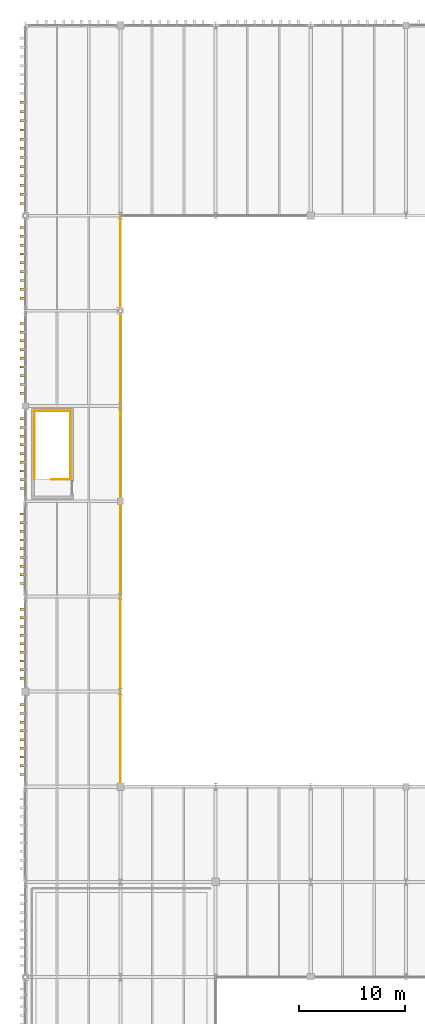
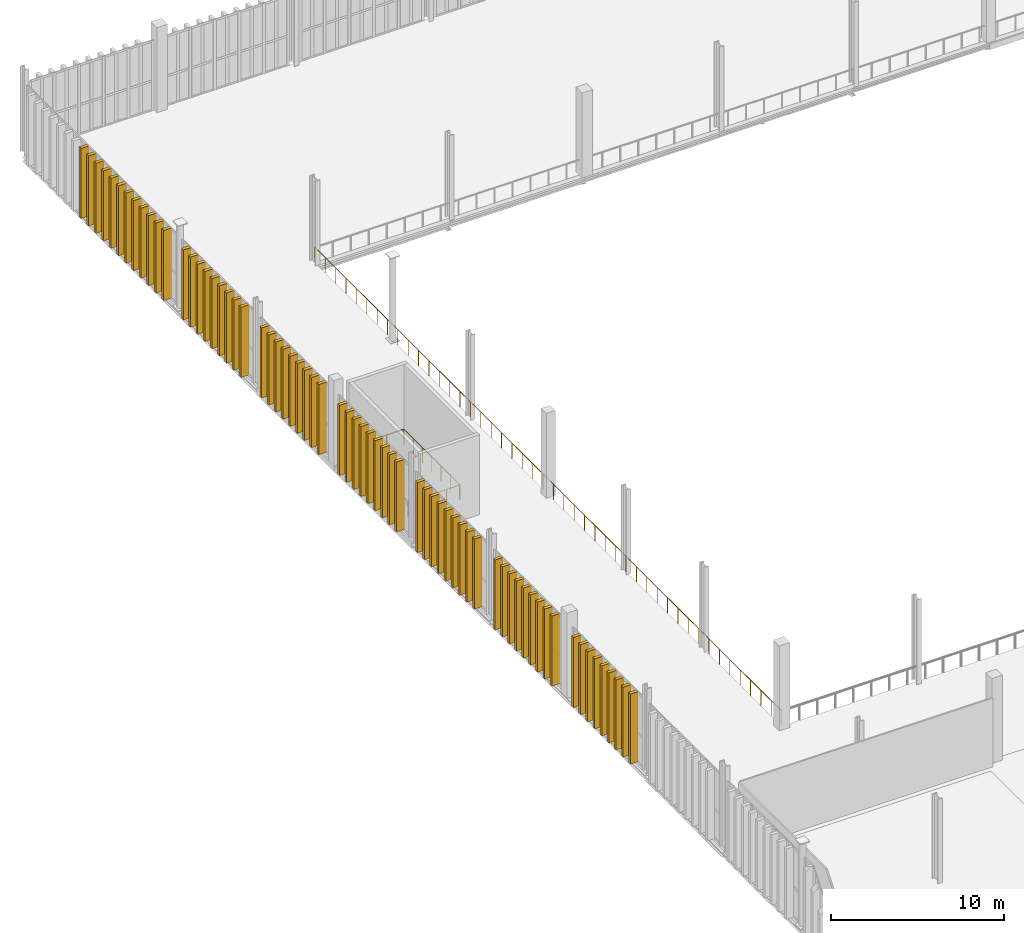
# One storey, part 197 of 211: 66 shading devices, 5 railings.
"""IFC4 building model written with IfcOpenShell, lengths in metres."""

import ifcopenshell
import ifcopenshell.guid

model = None  # the IFC model being written
_history = None  # IfcOwnerHistory: only IFC2X3 demands one
_inside = {}  # id of a spatial element -> (the spatial element, [elements in it])
_under = {}  # id of a project, library or spatial element -> (it, [spatial elements below it])
_declared = {}  # id of a project -> (the project, [libraries it declares])
_typed = {}  # id of a type object -> (the type object, [elements of that type])
_made_of = {}  # id of a material, layer set ... -> (it, [elements and type objects made of it])


def new_model(schema):
    """Start an empty IFC model of exactly this schema.

    Asked for "IFC4X3", IfcOpenShell would pick the latest addendum, in which some entities
    have other attributes; the version numbers below select the first issue.
    IFC2X3 requires an IfcOwnerHistory on every rooted entity: one is made here for all.
    """
    global model, _history
    if schema == "IFC4X3":
        model = ifcopenshell.file(schema_version=(4, 3, 0, 0))
    else:
        model = ifcopenshell.file(schema=schema)
    _inside.clear()
    _under.clear()
    _declared.clear()
    _typed.clear()
    _made_of.clear()
    _history = None
    if model.schema == "IFC2X3":
        org = make("IfcOrganization", Name="unknown")
        user = make(
            "IfcPersonAndOrganization",
            ThePerson=make("IfcPerson", FamilyName="unknown"),
            TheOrganization=org,
        )
        app = make(
            "IfcApplication",
            ApplicationDeveloper=org,
            Version="unknown",
            ApplicationFullName="unknown",
            ApplicationIdentifier="unknown",
        )
        _history = make(
            "IfcOwnerHistory",
            OwningUser=user,
            OwningApplication=app,
            ChangeAction="ADDED",
            CreationDate=0,
        )
    return model


def make(cls, **values):
    """One entity of the class cls with the attributes given. An attribute that is None is left unset."""
    return model.create_entity(
        cls, **{name: value for name, value in values.items() if value is not None}
    )


def rooted(cls, **values):
    """An entity with a GlobalId (a new one), such as an element, a storey or a relation."""
    return make(cls, GlobalId=ifcopenshell.guid.new(), OwnerHistory=_history, **values)


def si_unit(unit_type, name, prefix=None):
    """IfcSIUnit, for example si_unit("LENGTHUNIT", "METRE", prefix="MILLI")."""
    return make("IfcSIUnit", UnitType=unit_type, Prefix=prefix, Name=name)


def assignment(units):
    """IfcUnitAssignment: the units of a project."""
    return None if units is None else make("IfcUnitAssignment", Units=units)


def point(xyz):
    """IfcCartesianPoint."""
    return None if xyz is None else make("IfcCartesianPoint", Coordinates=xyz)


def direction(xyz):
    """IfcDirection."""
    return None if xyz is None else make("IfcDirection", DirectionRatios=xyz)


def frame(location, z_axis=None, x_axis=None):
    """IfcAxis2Placement3D, a coordinate frame: its origin and axes. An axis left out is left unset."""
    return make(
        "IfcAxis2Placement3D",
        Location=point(location),
        Axis=direction(z_axis),
        RefDirection=direction(x_axis),
    )


def frame_2d(location, x_axis=None):
    """IfcAxis2Placement2D, a coordinate frame in the plane: its origin and x axis."""
    return make(
        "IfcAxis2Placement2D", Location=point(location), RefDirection=direction(x_axis)
    )


def origin():
    """The frame at (0, 0, 0) with its axes left unset."""
    return frame((0.0, 0.0, 0.0))


def origin_2d():
    """The frame at (0, 0) in the plane with its x axis left unset."""
    return frame_2d((0.0, 0.0))


def place(relative_to, where):
    """IfcLocalPlacement: puts the frame where relative to a parent placement (None: the world)."""
    return make(
        "IfcLocalPlacement", PlacementRelTo=relative_to, RelativePlacement=where
    )


def context(
    kind, dimensions, precision=None, world=None, true_north=None, identifier=None
):
    """IfcGeometricRepresentationContext, for example the 3D "Model" context."""
    return make(
        "IfcGeometricRepresentationContext",
        ContextIdentifier=identifier,
        ContextType=kind,
        CoordinateSpaceDimension=dimensions,
        Precision=precision,
        WorldCoordinateSystem=world,
        TrueNorth=true_north,
    )


def subcontext(parent, identifier, kind, view, scale=None):
    """IfcGeometricRepresentationSubContext, for example "Body" below "Model"."""
    return make(
        "IfcGeometricRepresentationSubContext",
        ContextIdentifier=identifier,
        ContextType=kind,
        ParentContext=parent,
        TargetScale=scale,
        TargetView=view,
    )


def project(units=None, contexts=None):
    """IfcProject with its units and contexts."""
    return rooted(
        "IfcProject",
        Name="project",
        RepresentationContexts=contexts,
        UnitsInContext=assignment(units),
    )


def spatial(cls, under=None, at=None, **own):
    """A site, building, storey or space (cls), placed at a placement, below another one or the project."""
    s = rooted(cls, ObjectPlacement=at, **own)
    if under is not None:
        _under.setdefault(under.id(), (under, []))[1].append(s)
    return s


def profile(cls, at=None, kind="AREA", **sizes):
    """A parametric profile (cls). Its sizes go by their IFC names, for example OverallWidth=200.0."""
    return make(cls, ProfileType=kind, Position=at, **sizes)


def rectangle(**sizes):
    """IfcRectangleProfileDef."""
    return profile("IfcRectangleProfileDef", **sizes)


def circle(**sizes):
    """IfcCircleProfileDef."""
    return profile("IfcCircleProfileDef", **sizes)


def extrude(swept, where, along, depth):
    """IfcExtrudedAreaSolid: the profile swept, set in the frame where, extruded along a direction by depth."""
    return make(
        "IfcExtrudedAreaSolid",
        SweptArea=swept,
        Position=where,
        ExtrudedDirection=direction(along),
        Depth=depth,
    )


def shape(context_of_items, identifier, shape_type, items):
    """IfcShapeRepresentation: the items that make up one representation, for example the "Body"."""
    return make(
        "IfcShapeRepresentation",
        ContextOfItems=context_of_items,
        RepresentationIdentifier=identifier,
        RepresentationType=shape_type,
        Items=items,
    )


def material(Name=None, Category=None):
    """IfcMaterial."""
    return make("IfcMaterial", Name=Name, Category=Category)


def made_of(thing, what):
    """Note that an element or type object is made of a material, layer set ...; save() writes the relation."""
    if what is not None:
        _made_of.setdefault(what.id(), (what, []))[1].append(thing)
    return thing


def type_object(cls, material=None, **own):
    """A type object (cls), such as IfcWallType, which elements share."""
    return made_of(rooted(cls, **own), material)


def element(
    cls,
    number,
    at=None,
    inside=None,
    cuts=None,
    type_object=None,
    material=None,
    context=None,
    identifier="Body",
    shape_type=None,
    held_by="IfcProductDefinitionShape",
    body=None,
    shapes=None,
    **own,
):
    """One element of the class cls, such as IfcWall. Its Tag is "e" and its number.

    at: its placement. inside: the storey or other place that contains it. cuts: it is an
    opening in that element (IfcRelVoidsElement). A single representation is given by context,
    identifier, shape_type and body (its items); several are given by shapes. held_by: the class
    of the entity that holds the representations. save() writes the other relations.
    """
    e = rooted(cls, Tag="e%d" % number, ObjectPlacement=at, **own)
    if body is not None:
        shapes = [shape(context, identifier, shape_type, body)]
    if shapes is not None:
        e.Representation = make(held_by, Representations=shapes)
    if inside is not None:
        _inside.setdefault(inside.id(), (inside, []))[1].append(e)
    if cuts is not None:
        rooted(
            "IfcRelVoidsElement", RelatingBuildingElement=cuts, RelatedOpeningElement=e
        )
    if type_object is not None:
        _typed.setdefault(type_object.id(), (type_object, []))[1].append(e)
    return made_of(e, material)


def aggregate(whole, parts):
    """IfcRelAggregates: a whole, such as a stair, and the parts it consists of."""
    return rooted("IfcRelAggregates", RelatingObject=whole, RelatedObjects=parts)


def save(model, path):
    """Write the relations noted so far, then the file.

    IfcRelAggregates (storeys below a building ...), IfcRelContainedInSpatialStructure (elements
    in a storey), IfcRelDefinesByType, IfcRelAssociatesMaterial and IfcRelDeclares: one each for
    every whole, place, type object, material and project.
    """
    for whole, parts in _under.values():
        aggregate(whole, parts)
    for where, things in _inside.values():
        rooted(
            "IfcRelContainedInSpatialStructure",
            RelatedElements=things,
            RelatingStructure=where,
        )
    for kind, things in _typed.values():
        rooted("IfcRelDefinesByType", RelatedObjects=things, RelatingType=kind)
    for what, things in _made_of.values():
        rooted("IfcRelAssociatesMaterial", RelatedObjects=things, RelatingMaterial=what)
    for by, libraries in _declared.values():
        rooted("IfcRelDeclares", RelatingContext=by, RelatedDefinitions=libraries)
    model.write(path)


model = new_model("IFC4")

# Units and contexts
model_context = context("Model", 3, precision=1e-05, world=origin(), true_north=direction((0.0, 1.0)))
body_context = subcontext(model_context, "Body", "Model", "MODEL_VIEW")
ifc_project = project(units=[si_unit("LENGTHUNIT", "METRE"), si_unit("AREAUNIT", "SQUARE_METRE"), si_unit("VOLUMEUNIT", "CUBIC_METRE"), si_unit("PLANEANGLEUNIT", "RADIAN"), si_unit("MASSUNIT", "GRAM", prefix="KILO")], contexts=[model_context])

# Site, building, storey
site_placement = place(None, origin())
site = spatial("IfcSite", under=ifc_project, at=site_placement, CompositionType="ELEMENT")
building_placement = place(site_placement, origin())
building = spatial("IfcBuilding", under=site, at=building_placement, Name="Barlavento Convention Centre", CompositionType="ELEMENT")
storey_placement = place(building_placement, frame((0.0, 0.0, 6.0)))
storey = spatial("IfcBuildingStorey", under=building, at=storey_placement, Name="L01", CompositionType="ELEMENT", Elevation=6.0)

# Railings
ifc_material_1 = material(Name="Stainless steel and laminated glass balustrade", Category="steel")
railing_type = type_object("IfcRailingType", Name="ARC-RAL-BAL-1100", PredefinedType="BALUSTRADE", material=ifc_material_1)
railing_1_placement = place(storey_placement, frame((4.2900390625, 92.0400390625, 0.0)))
element("IfcRailing", 1, at=railing_1_placement, inside=storey, type_object=railing_type, Name="L01 ST11 top well guard 1", PredefinedType="BALUSTRADE", context=body_context, shape_type="SweptSolid", body=[
    extrude(circle(Radius=0.02392578125, at=origin_2d()), frame((0.0, 0.0, 1.076171875), z_axis=(-1.0, 0.0, 0.0), x_axis=(0.0, -1.0, 0.0)), (0.0, 0.0, 1.0), 1.820068359375),
    extrude(circle(Radius=0.02099609375, at=origin_2d()), origin(), (0.0, 0.0, 1.0), 1.052001953125),
    extrude(circle(Radius=0.02099609375, at=origin_2d()), frame((-0.91015625, 0.0, 0.0)), (0.0, 0.0, 1.0), 1.052001953125),
    extrude(circle(Radius=0.02099609375, at=origin_2d()), frame((-1.820068359375, 0.0, 0.0)), (0.0, 0.0, 1.0), 1.052001953125),
])
railing_2_placement = place(storey_placement, frame((4.2900390625, 92.114990234375, 0.0)))
element("IfcRailing", 2, at=railing_2_placement, inside=storey, type_object=railing_type, Name="L01 stairwell perimeter guard GR01", PredefinedType="BALUSTRADE", context=body_context, shape_type="SweptSolid", body=[
    extrude(circle(Radius=0.02392578125, at=origin_2d()), frame((0.0, 0.0, 1.076171875), z_axis=(0.0, 1.0, 0.0), x_axis=(-1.0, 0.0, 0.0)), (0.0, 0.0, 1.0), 6.4150390625),
    extrude(circle(Radius=0.02099609375, at=origin_2d()), origin(), (0.0, 0.0, 1.0), 1.052001953125),
    extrude(circle(Radius=0.02099609375, at=origin_2d()), frame((0.0, 1.069091796875, 0.0)), (0.0, 0.0, 1.0), 1.052001953125),
    extrude(circle(Radius=0.02099609375, at=origin_2d()), frame((0.0, 2.138427734375, 0.0)), (0.0, 0.0, 1.0), 1.052001953125),
    extrude(circle(Radius=0.02099609375, at=origin_2d()), frame((0.0, 3.20751953125, 0.0)), (0.0, 0.0, 1.0), 1.052001953125),
    extrude(circle(Radius=0.02099609375, at=origin_2d()), frame((0.0, 4.276611328125, 0.0)), (0.0, 0.0, 1.0), 1.052001953125),
    extrude(circle(Radius=0.02099609375, at=origin_2d()), frame((0.0, 5.345947265625, 0.0)), (0.0, 0.0, 1.0), 1.052001953125),
    extrude(circle(Radius=0.02099609375, at=origin_2d()), frame((0.0, 6.4150390625, 0.0)), (0.0, 0.0, 1.0), 1.052001953125),
])
railing_3_placement = place(storey_placement, frame((4.2900390625, 98.530029296875, 0.0)))
element("IfcRailing", 3, at=railing_3_placement, inside=storey, type_object=railing_type, Name="L01 stairwell perimeter guard GR01", PredefinedType="BALUSTRADE", context=body_context, shape_type="SweptSolid", body=[
    extrude(circle(Radius=0.02392578125, at=origin_2d()), frame((0.0, 0.0, 1.076171875), z_axis=(-1.0, 0.0, 0.0), x_axis=(0.0, -1.0, 0.0)), (0.0, 0.0, 1.0), 3.43994140625),
    extrude(circle(Radius=0.02099609375, at=origin_2d()), origin(), (0.0, 0.0, 1.0), 1.052001953125),
    extrude(circle(Radius=0.02099609375, at=origin_2d()), frame((-1.146728515625, 0.0, 0.0)), (0.0, 0.0, 1.0), 1.052001953125),
    extrude(circle(Radius=0.02099609375, at=origin_2d()), frame((-2.293212890625, 0.0, 0.0)), (0.0, 0.0, 1.0), 1.052001953125),
    extrude(circle(Radius=0.02099609375, at=origin_2d()), frame((-3.43994140625, 0.0, 0.0)), (0.0, 0.0, 1.0), 1.052001953125),
])
railing_4_placement = place(storey_placement, frame((0.85009765625, 98.530029296875, 0.0)))
element("IfcRailing", 4, at=railing_4_placement, inside=storey, type_object=railing_type, Name="L01 stairwell perimeter guard GR01", PredefinedType="BALUSTRADE", context=body_context, shape_type="SweptSolid", body=[
    extrude(circle(Radius=0.02392578125, at=origin_2d()), frame((0.0, 0.0, 1.076171875), z_axis=(0.0, -1.0, 0.0), x_axis=(1.0, 0.0, 0.0)), (0.0, 0.0, 1.0), 6.4150390625),
    extrude(circle(Radius=0.02099609375, at=origin_2d()), origin(), (0.0, 0.0, 1.0), 1.052001953125),
    extrude(circle(Radius=0.02099609375, at=origin_2d()), frame((0.0, -1.069091796875, 0.0)), (0.0, 0.0, 1.0), 1.052001953125),
    extrude(circle(Radius=0.02099609375, at=origin_2d()), frame((0.0, -2.138427734375, 0.0)), (0.0, 0.0, 1.0), 1.052001953125),
    extrude(circle(Radius=0.02099609375, at=origin_2d()), frame((0.0, -3.20751953125, 0.0)), (0.0, 0.0, 1.0), 1.052001953125),
    extrude(circle(Radius=0.02099609375, at=origin_2d()), frame((0.0, -4.276611328125, 0.0)), (0.0, 0.0, 1.0), 1.052001953125),
    extrude(circle(Radius=0.02099609375, at=origin_2d()), frame((0.0, -5.345947265625, 0.0)), (0.0, 0.0, 1.0), 1.052001953125),
    extrude(circle(Radius=0.02099609375, at=origin_2d()), frame((0.0, -6.4150390625, 0.0)), (0.0, 0.0, 1.0), 1.052001953125),
])
railing_5_placement = place(storey_placement, frame((9.0, 117.0, 0.0)))
element("IfcRailing", 5, at=railing_5_placement, inside=storey, type_object=railing_type, Name="L01 interior atrium or gallery balustrade GR01", PredefinedType="BALUSTRADE", context=body_context, shape_type="SweptSolid", body=[
    extrude(circle(Radius=0.02392578125, at=origin_2d()), frame((0.0, 0.0, 1.076171875), z_axis=(0.0, -1.0, 0.0), x_axis=(1.0, 0.0, 0.0)), (0.0, 0.0, 1.0), 54.0),
    extrude(circle(Radius=0.02099609375, at=origin_2d()), origin(), (0.0, 0.0, 1.0), 1.052001953125),
    extrude(circle(Radius=0.02099609375, at=origin_2d()), frame((0.0, -1.199951171875, 0.0)), (0.0, 0.0, 1.0), 1.052001953125),
    extrude(circle(Radius=0.02099609375, at=origin_2d()), frame((0.0, -2.39990234375, 0.0)), (0.0, 0.0, 1.0), 1.052001953125),
    extrude(circle(Radius=0.02099609375, at=origin_2d()), frame((0.0, -3.60009765625, 0.0)), (0.0, 0.0, 1.0), 1.052001953125),
    extrude(circle(Radius=0.02099609375, at=origin_2d()), frame((0.0, -4.800048828125, 0.0)), (0.0, 0.0, 1.0), 1.052001953125),
    extrude(circle(Radius=0.02099609375, at=origin_2d()), frame((0.0, -6.0, 0.0)), (0.0, 0.0, 1.0), 1.052001953125),
    extrude(circle(Radius=0.02099609375, at=origin_2d()), frame((0.0, -7.199951171875, 0.0)), (0.0, 0.0, 1.0), 1.052001953125),
    extrude(circle(Radius=0.02099609375, at=origin_2d()), frame((0.0, -8.39990234375, 0.0)), (0.0, 0.0, 1.0), 1.052001953125),
    extrude(circle(Radius=0.02099609375, at=origin_2d()), frame((0.0, -9.60009765625, 0.0)), (0.0, 0.0, 1.0), 1.052001953125),
    extrude(circle(Radius=0.02099609375, at=origin_2d()), frame((0.0, -10.800048828125, 0.0)), (0.0, 0.0, 1.0), 1.052001953125),
    extrude(circle(Radius=0.02099609375, at=origin_2d()), frame((0.0, -12.0, 0.0)), (0.0, 0.0, 1.0), 1.052001953125),
    extrude(circle(Radius=0.02099609375, at=origin_2d()), frame((0.0, -13.199951171875, 0.0)), (0.0, 0.0, 1.0), 1.052001953125),
    extrude(circle(Radius=0.02099609375, at=origin_2d()), frame((0.0, -14.39990234375, 0.0)), (0.0, 0.0, 1.0), 1.052001953125),
    extrude(circle(Radius=0.02099609375, at=origin_2d()), frame((0.0, -15.60009765625, 0.0)), (0.0, 0.0, 1.0), 1.052001953125),
    extrude(circle(Radius=0.02099609375, at=origin_2d()), frame((0.0, -16.800048828125, 0.0)), (0.0, 0.0, 1.0), 1.052001953125),
    extrude(circle(Radius=0.02099609375, at=origin_2d()), frame((0.0, -18.0, 0.0)), (0.0, 0.0, 1.0), 1.052001953125),
    extrude(circle(Radius=0.02099609375, at=origin_2d()), frame((0.0, -19.199951171875, 0.0)), (0.0, 0.0, 1.0), 1.052001953125),
    extrude(circle(Radius=0.02099609375, at=origin_2d()), frame((0.0, -20.39990234375, 0.0)), (0.0, 0.0, 1.0), 1.052001953125),
    extrude(circle(Radius=0.02099609375, at=origin_2d()), frame((0.0, -21.60009765625, 0.0)), (0.0, 0.0, 1.0), 1.052001953125),
    extrude(circle(Radius=0.02099609375, at=origin_2d()), frame((0.0, -22.800048828125, 0.0)), (0.0, 0.0, 1.0), 1.052001953125),
    extrude(circle(Radius=0.02099609375, at=origin_2d()), frame((0.0, -24.0, 0.0)), (0.0, 0.0, 1.0), 1.052001953125),
    extrude(circle(Radius=0.02099609375, at=origin_2d()), frame((0.0, -25.199951171875, 0.0)), (0.0, 0.0, 1.0), 1.052001953125),
    extrude(circle(Radius=0.02099609375, at=origin_2d()), frame((0.0, -26.39990234375, 0.0)), (0.0, 0.0, 1.0), 1.052001953125),
    extrude(circle(Radius=0.02099609375, at=origin_2d()), frame((0.0, -27.60009765625, 0.0)), (0.0, 0.0, 1.0), 1.052001953125),
    extrude(circle(Radius=0.02099609375, at=origin_2d()), frame((0.0, -28.800048828125, 0.0)), (0.0, 0.0, 1.0), 1.052001953125),
    extrude(circle(Radius=0.02099609375, at=origin_2d()), frame((0.0, -30.0, 0.0)), (0.0, 0.0, 1.0), 1.052001953125),
    extrude(circle(Radius=0.02099609375, at=origin_2d()), frame((0.0, -31.199951171875, 0.0)), (0.0, 0.0, 1.0), 1.052001953125),
    extrude(circle(Radius=0.02099609375, at=origin_2d()), frame((0.0, -32.39990234375, 0.0)), (0.0, 0.0, 1.0), 1.052001953125),
    extrude(circle(Radius=0.02099609375, at=origin_2d()), frame((0.0, -33.60009765625, 0.0)), (0.0, 0.0, 1.0), 1.052001953125),
    extrude(circle(Radius=0.02099609375, at=origin_2d()), frame((0.0, -34.800048828125, 0.0)), (0.0, 0.0, 1.0), 1.052001953125),
    extrude(circle(Radius=0.02099609375, at=origin_2d()), frame((0.0, -36.0, 0.0)), (0.0, 0.0, 1.0), 1.052001953125),
    extrude(circle(Radius=0.02099609375, at=origin_2d()), frame((0.0, -37.199951171875, 0.0)), (0.0, 0.0, 1.0), 1.052001953125),
    extrude(circle(Radius=0.02099609375, at=origin_2d()), frame((0.0, -38.39990234375, 0.0)), (0.0, 0.0, 1.0), 1.052001953125),
    extrude(circle(Radius=0.02099609375, at=origin_2d()), frame((0.0, -39.60009765625, 0.0)), (0.0, 0.0, 1.0), 1.052001953125),
    extrude(circle(Radius=0.02099609375, at=origin_2d()), frame((0.0, -40.800048828125, 0.0)), (0.0, 0.0, 1.0), 1.052001953125),
    extrude(circle(Radius=0.02099609375, at=origin_2d()), frame((0.0, -42.0, 0.0)), (0.0, 0.0, 1.0), 1.052001953125),
    extrude(circle(Radius=0.02099609375, at=origin_2d()), frame((0.0, -43.199951171875, 0.0)), (0.0, 0.0, 1.0), 1.052001953125),
    extrude(circle(Radius=0.02099609375, at=origin_2d()), frame((0.0, -44.39990234375, 0.0)), (0.0, 0.0, 1.0), 1.052001953125),
    extrude(circle(Radius=0.02099609375, at=origin_2d()), frame((0.0, -45.60009765625, 0.0)), (0.0, 0.0, 1.0), 1.052001953125),
    extrude(circle(Radius=0.02099609375, at=origin_2d()), frame((0.0, -46.800048828125, 0.0)), (0.0, 0.0, 1.0), 1.052001953125),
    extrude(circle(Radius=0.02099609375, at=origin_2d()), frame((0.0, -48.0, 0.0)), (0.0, 0.0, 1.0), 1.052001953125),
    extrude(circle(Radius=0.02099609375, at=origin_2d()), frame((0.0, -49.199951171875, 0.0)), (0.0, 0.0, 1.0), 1.052001953125),
    extrude(circle(Radius=0.02099609375, at=origin_2d()), frame((0.0, -50.39990234375, 0.0)), (0.0, 0.0, 1.0), 1.052001953125),
    extrude(circle(Radius=0.02099609375, at=origin_2d()), frame((0.0, -51.60009765625, 0.0)), (0.0, 0.0, 1.0), 1.052001953125),
    extrude(circle(Radius=0.02099609375, at=origin_2d()), frame((0.0, -52.800048828125, 0.0)), (0.0, 0.0, 1.0), 1.052001953125),
    extrude(circle(Radius=0.02099609375, at=origin_2d()), frame((0.0, -54.0, 0.0)), (0.0, 0.0, 1.0), 1.052001953125),
])

# Shading devices
ifc_material_2 = material(Name="PVDF white extruded aluminium", Category="aluminium")
shading_device_type = type_object("IfcShadingDeviceType", Name="ARC-SHD-FIN-480", PredefinedType="USERDEFINED", material=ifc_material_2)
for number, where, z_axis, x_axis, name in (
    (6, (-0.239990234375, 64.164794921875, 0.0), (0.0, 0.0, 1.0), (0.0, 1.0, 0.0), "White vertical solar shading fin VF01"),
    (7, (-0.239990234375, 64.987548828125, 0.0), (0.0, 0.0, 1.0), (0.0, 1.0, 0.0), "White vertical solar shading fin VF01"),
    (8, (-0.239990234375, 65.810302734375, 0.0), (0.0, 0.0, 1.0), (0.0, 1.0, 0.0), "White vertical solar shading fin VF01"),
    (9, (-0.239990234375, 66.63330078125, 0.0), (0.0, 0.0, 1.0), (0.0, 1.0, 0.0), "White vertical solar shading fin VF01"),
    (10, (-0.239990234375, 67.4560546875, 0.0), (0.0, 0.0, 1.0), (0.0, 1.0, 0.0), "White vertical solar shading fin VF01"),
    (11, (-0.239990234375, 68.27880859375, 0.0), (0.0, 0.0, 1.0), (0.0, 1.0, 0.0), "White vertical solar shading fin VF01"),
    (12, (-0.239990234375, 69.1015625, 0.0), (0.0, 0.0, 1.0), (0.0, 1.0, 0.0), "White vertical solar shading fin VF01"),
    (13, (-0.239990234375, 69.92431640625, 0.0), (0.0, 0.0, 1.0), (0.0, 1.0, 0.0), "White vertical solar shading fin VF01"),
    (14, (-0.239990234375, 70.747314453125, 0.0), (0.0, 0.0, 1.0), (0.0, 1.0, 0.0), "White vertical solar shading fin VF01"),
    (15, (-0.239990234375, 73.248046875, 0.0), (0.0, 0.0, 1.0), (0.0, 1.0, 0.0), "White vertical solar shading fin VF01"),
    (16, (-0.239990234375, 74.06591796875, 0.0), (0.0, 0.0, 1.0), (0.0, 1.0, 0.0), "White vertical solar shading fin VF01"),
    (17, (-0.239990234375, 74.884033203125, 0.0), (0.0, 0.0, 1.0), (0.0, 1.0, 0.0), "White vertical solar shading fin VF01"),
    (18, (-0.239990234375, 75.701904296875, 0.0), (0.0, 0.0, 1.0), (0.0, 1.0, 0.0), "White vertical solar shading fin VF01"),
    (19, (-0.239990234375, 76.52001953125, 0.0), (0.0, 0.0, 1.0), (0.0, 1.0, 0.0), "White vertical solar shading fin VF01"),
    (20, (-0.239990234375, 77.337890625, 0.0), (0.0, 0.0, 1.0), (0.0, 1.0, 0.0), "White vertical solar shading fin VF01"),
    (21, (-0.239990234375, 78.156005859375, 0.0), (0.0, 0.0, 1.0), (0.0, 1.0, 0.0), "White vertical solar shading fin VF01"),
    (22, (-0.239990234375, 78.97412109375, 0.0), (0.0, 0.0, 1.0), (0.0, 1.0, 0.0), "White vertical solar shading fin VF01"),
    (23, (-0.239990234375, 79.7919921875, 0.0), (0.0, 0.0, 1.0), (0.0, 1.0, 0.0), "White vertical solar shading fin VF01"),
    (24, (-0.239990234375, 82.212890625, 0.0), (0.0, 0.0, 1.0), (0.0, 1.0, 0.0), "White vertical solar shading fin VF01"),
    (25, (-0.239990234375, 83.035888671875, 0.0), (0.0, 0.0, 1.0), (0.0, 1.0, 0.0), "White vertical solar shading fin VF01"),
    (26, (-0.239990234375, 83.85888671875, 0.0), (0.0, 0.0, 1.0), (0.0, 1.0, 0.0), "White vertical solar shading fin VF01"),
    (27, (-0.239990234375, 84.681884765625, 0.0), (0.0, 0.0, 1.0), (0.0, 1.0, 0.0), "White vertical solar shading fin VF01"),
    (28, (-0.239990234375, 85.5048828125, 0.0), (0.0, 0.0, 1.0), (0.0, 1.0, 0.0), "White vertical solar shading fin VF01"),
    (29, (-0.239990234375, 86.327880859375, 0.0), (0.0, 0.0, 1.0), (0.0, 1.0, 0.0), "White vertical solar shading fin VF01"),
    (30, (-0.239990234375, 87.15087890625, 0.0), (0.0, 0.0, 1.0), (0.0, 1.0, 0.0), "White vertical solar shading fin VF01"),
    (31, (-0.239990234375, 87.97412109375, 0.0), (0.0, 0.0, 1.0), (0.0, 1.0, 0.0), "White vertical solar shading fin VF01"),
    (32, (-0.239990234375, 88.797119140625, 0.0), (0.0, 0.0, 1.0), (0.0, 1.0, 0.0), "White vertical solar shading fin VF01"),
    (33, (-0.239990234375, 91.2041015625, 0.0), (0.0, 0.0, 1.0), (0.0, 1.0, 0.0), "White vertical solar shading fin VF01"),
    (34, (-0.239990234375, 92.028076171875, 0.0), (0.0, 0.0, 1.0), (0.0, 1.0, 0.0), "White vertical solar shading fin VF01"),
    (35, (-0.239990234375, 92.85205078125, 0.0), (0.0, 0.0, 1.0), (0.0, 1.0, 0.0), "White vertical solar shading fin VF01"),
    (36, (-0.239990234375, 93.676025390625, 0.0), (0.0, 0.0, 1.0), (0.0, 1.0, 0.0), "White vertical solar shading fin VF01"),
    (37, (-0.239990234375, 94.5, 0.0), (0.0, 0.0, 1.0), (0.0, 1.0, 0.0), "White vertical solar shading fin VF01"),
    (38, (-0.239990234375, 95.323974609375, 0.0), (0.0, 0.0, 1.0), (0.0, 1.0, 0.0), "White vertical solar shading fin VF01"),
    (39, (-0.239990234375, 96.14794921875, 0.0), (0.0, 0.0, 1.0), (0.0, 1.0, 0.0), "White vertical solar shading fin VF01"),
    (40, (-0.239990234375, 96.971923828125, 0.0), (0.0, 0.0, 1.0), (0.0, 1.0, 0.0), "White vertical solar shading fin VF01"),
    (41, (-0.239990234375, 97.7958984375, 0.0), (0.0, 0.0, 1.0), (0.0, 1.0, 0.0), "White vertical solar shading fin VF01"),
    (42, (-0.239990234375, 100.205322265625, 0.0), (0.0, 0.0, 1.0), (0.0, 1.0, 0.0), "White vertical solar shading fin VF01"),
    (43, (-0.239990234375, 101.03076171875, 0.0), (0.0, 0.0, 1.0), (0.0, 1.0, 0.0), "White vertical solar shading fin VF01"),
    (44, (-0.239990234375, 101.856201171875, 0.0), (0.0, 0.0, 1.0), (0.0, 1.0, 0.0), "White vertical solar shading fin VF01"),
    (45, (-0.239990234375, 102.681640625, 0.0), (0.0, 0.0, 1.0), (0.0, 1.0, 0.0), "White vertical solar shading fin VF01"),
    (46, (-0.239990234375, 103.507080078125, 0.0), (0.0, 0.0, 1.0), (0.0, 1.0, 0.0), "White vertical solar shading fin VF01"),
    (47, (-0.239990234375, 104.33251953125, 0.0), (0.0, 0.0, 1.0), (0.0, 1.0, 0.0), "White vertical solar shading fin VF01"),
    (48, (-0.239990234375, 105.15771484375, 0.0), (0.0, 0.0, 1.0), (0.0, 1.0, 0.0), "White vertical solar shading fin VF01"),
    (49, (-0.239990234375, 105.983154296875, 0.0), (0.0, 0.0, 1.0), (0.0, 1.0, 0.0), "White vertical solar shading fin VF01"),
    (50, (-0.239990234375, 106.80859375, 0.0), (0.0, 0.0, 1.0), (0.0, 1.0, 0.0), "White vertical solar shading fin VF01"),
    (51, (-0.239990234375, 109.201171875, 0.0), (0.0, 0.0, 1.0), (0.0, 1.0, 0.0), "White vertical solar shading fin VF01"),
    (52, (-0.239990234375, 110.0361328125, 0.0), (0.0, 0.0, 1.0), (0.0, 1.0, 0.0), "White vertical solar shading fin VF01"),
    (53, (-0.239990234375, 110.87109375, 0.0), (0.0, 0.0, 1.0), (0.0, 1.0, 0.0), "White vertical solar shading fin VF01"),
    (54, (-0.239990234375, 111.706298828125, 0.0), (0.0, 0.0, 1.0), (0.0, 1.0, 0.0), "White vertical solar shading fin VF01"),
    (55, (-0.239990234375, 112.54150390625, 0.0), (0.0, 0.0, 1.0), (0.0, 1.0, 0.0), "White vertical solar shading fin VF01"),
    (56, (-0.239990234375, 113.37646484375, 0.0), (0.0, 0.0, 1.0), (0.0, 1.0, 0.0), "White vertical solar shading fin VF01"),
    (57, (-0.239990234375, 114.211669921875, 0.0), (0.0, 0.0, 1.0), (0.0, 1.0, 0.0), "White vertical solar shading fin VF01"),
    (58, (-0.239990234375, 115.046630859375, 0.0), (0.0, 0.0, 1.0), (0.0, 1.0, 0.0), "White vertical solar shading fin VF01"),
    (59, (-0.239990234375, 115.881591796875, 0.0), (0.0, 0.0, 1.0), (0.0, 1.0, 0.0), "White vertical solar shading fin VF01"),
    (60, (-0.239990234375, 118.15185546875, 0.0), (0.0, 0.0, 1.0), (0.0, 1.0, 0.0), "White vertical solar shading fin VF01"),
    (61, (-0.239990234375, 119.020751953125, 0.0), (0.0, 0.0, 1.0), (0.0, 1.0, 0.0), "White vertical solar shading fin VF01"),
    (62, (-0.239990234375, 119.889404296875, 0.0), (0.0, 0.0, 1.0), (0.0, 1.0, 0.0), "White vertical solar shading fin VF01"),
    (63, (-0.239990234375, 120.75830078125, 0.0), (0.0, 0.0, 1.0), (0.0, 1.0, 0.0), "White vertical solar shading fin VF01"),
    (64, (-0.239990234375, 121.626953125, 0.0), (0.0, 0.0, 1.0), (0.0, 1.0, 0.0), "White vertical solar shading fin VF01"),
    (65, (-0.239990234375, 122.49560546875, 0.0), (0.0, 0.0, 1.0), (0.0, 1.0, 0.0), "White vertical solar shading fin VF01"),
    (66, (-0.239990234375, 123.364501953125, 0.0), (0.0, 0.0, 1.0), (0.0, 1.0, 0.0), "White vertical solar shading fin VF01"),
    (67, (-0.239990234375, 124.233154296875, 0.0), (0.0, 0.0, 1.0), (0.0, 1.0, 0.0), "White vertical solar shading fin VF01"),
    (68, (-0.239990234375, 125.101806640625, 0.0), (0.0, 0.0, 1.0), (0.0, 1.0, 0.0), "White vertical solar shading fin VF01"),
    (69, (-0.239990234375, 125.970703125, 0.0), (0.0, 0.0, 1.0), (0.0, 1.0, 0.0), "White vertical solar shading fin VF01"),
    (70, (-0.239990234375, 126.83935546875, 0.0), (0.0, 0.0, 1.0), (0.0, 1.0, 0.0), "White vertical solar shading fin VF01"),
    (71, (-0.239990234375, 127.7080078125, 0.0), (0.0, 0.0, 1.0), (0.0, 1.0, 0.0), "White vertical solar shading fin VF01"),
):
    element("IfcShadingDevice", number, at=place(storey_placement, frame(where, z_axis=z_axis, x_axis=x_axis)), inside=storey, type_object=shading_device_type, Name=name, ObjectType="FIN", PredefinedType="USERDEFINED", context=body_context, shape_type="SweptSolid", body=[
        extrude(rectangle(XDim=0.219970703125, YDim=0.52001953125, at=origin_2d()), origin(), (0.0, 0.0, 1.0), 4.949951171875),
    ])

save(model, "model.ifc")
